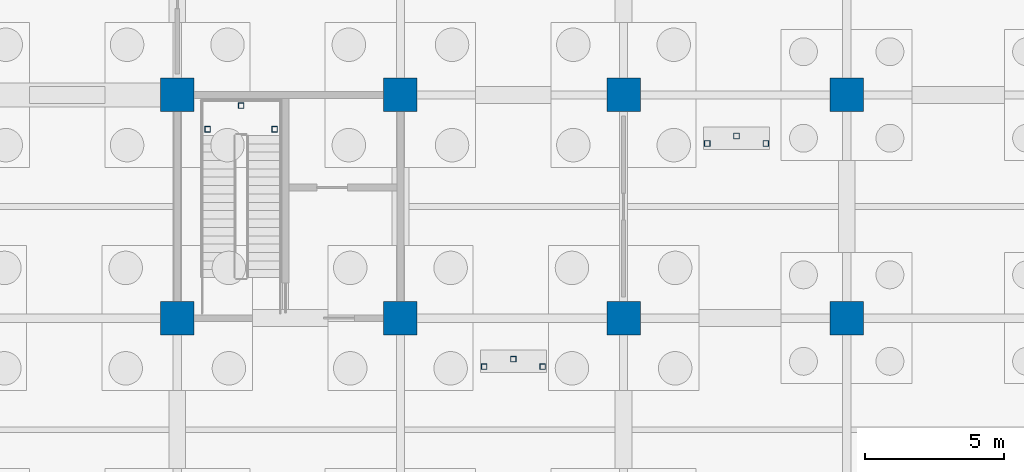
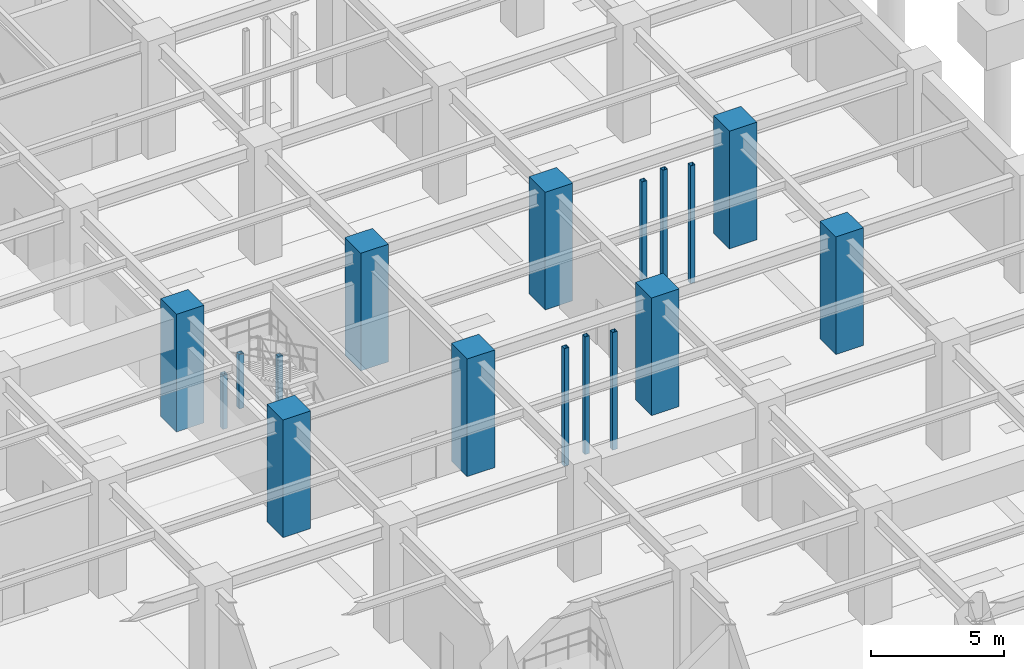
# One storey, part 32 of 97: 17 columns.
"""IFC4 building model written with IfcOpenShell, lengths in metres."""

from ifc_helpers import new_model, si_unit, direction, frame, origin, origin_2d, place, context, subcontext, project, spatial, rectangle, hollow_rectangle, extrude, material, material_profile, profile_set, type_object, element, save


model = new_model("IFC4")

# Units and contexts
model_context = context("Model", 3, precision=1e-05, world=origin(), true_north=direction((0.0, 1.0)))
body_context = subcontext(model_context, "Body", "Model", "MODEL_VIEW")
ifc_project = project(units=[si_unit("LENGTHUNIT", "METRE"), si_unit("AREAUNIT", "SQUARE_METRE"), si_unit("VOLUMEUNIT", "CUBIC_METRE"), si_unit("PLANEANGLEUNIT", "RADIAN"), si_unit("MASSUNIT", "GRAM", prefix="KILO")], contexts=[model_context])

# Site, building, storey
site_placement = place(None, origin())
site = spatial("IfcSite", under=ifc_project, at=site_placement, CompositionType="ELEMENT")
building_placement = place(site_placement, origin())
building = spatial("IfcBuilding", under=site, at=building_placement, Name="Haebicheon Civic Stadium", CompositionType="ELEMENT")
storey_placement = place(building_placement, frame((0.0, 0.0, -5.39990234375)))
storey = spatial("IfcBuildingStorey", under=building, at=storey_placement, Name="B1", CompositionType="ELEMENT", Elevation=-5.39990234375)

# Columns
ifc_material_1 = material(Name="Concrete C40/50", Category="concrete")
ifc_material_profile_1 = material_profile(ifc_material_1, rectangle(XDim=1.199951171875, YDim=1.199951171875, at=origin_2d()), Name="RC-COL-1200x1200")
ifc_profile_set_1 = profile_set([ifc_material_profile_1], Name="Concrete C40/50")
column_type_1 = type_object("IfcColumnType", Name="COL-RC-1200", PredefinedType="COLUMN", material=ifc_profile_set_1)
for number, where, z_axis, x_axis, name in (
    (1, (32.0, 80.0, 0.0), (0.0, 0.0, 1.0), (1.0, 0.0, 0.0), "B1 column 5/L"),
    (2, (32.0, 88.0, 0.0), (0.0, 0.0, 1.0), (1.0, 0.0, 0.0), "B1 column 5/M"),
    (3, (40.0, 80.0, 0.0), (0.0, 0.0, 1.0), (1.0, 0.0, 0.0), "B1 column 6/L"),
    (4, (40.0, 88.0, 0.0), (0.0, 0.0, 1.0), (1.0, 0.0, 0.0), "B1 column 6/M"),
    (5, (48.0, 80.0, 0.0), (0.0, 0.0, 1.0), (1.0, 0.0, 0.0), "B1 column 7/L"),
    (6, (48.0, 88.0, 0.0), (0.0, 0.0, 1.0), (1.0, 0.0, 0.0), "B1 column 7/M"),
    (7, (56.0, 80.0, 0.0), (0.0, 0.0, 1.0), (1.0, 0.0, 0.0), "B1 column 8/L"),
    (8, (56.0, 88.0, 0.0), (0.0, 0.0, 1.0), (1.0, 0.0, 0.0), "B1 column 8/M"),
):
    element("IfcColumn", number, at=place(storey_placement, frame(where, z_axis=z_axis, x_axis=x_axis)), inside=storey, type_object=column_type_1, material=ifc_profile_set_1, Name=name, PredefinedType="COLUMN", context=body_context, shape_type="SweptSolid", body=[
        extrude(rectangle(XDim=1.199951171875, YDim=1.199951171875, at=origin_2d()), origin(), (0.0, 0.0, 1.0), 5.39990234375),
    ])
ifc_material_2 = material(Name="Steel SM355 (S355)", Category="steel")
ifc_material_profile_2 = material_profile(ifc_material_2, hollow_rectangle(XDim=0.199951171875, YDim=0.199951171875, WallThickness=0.009033203125, at=origin_2d()), Name="RHS-200x200x9.0")
ifc_profile_set_2 = profile_set([ifc_material_profile_2], Name="Steel SM355 (S355)")
column_type_2 = type_object("IfcColumnType", Name="COL-ST-RHS200", PredefinedType="COLUMN", material=ifc_profile_set_2)
for number, where, z_axis, x_axis, name in (
    (9, (33.090087890625, 86.77001953125, 0.0), (0.0, 0.0, 1.0), (1.0, 0.0, 0.0), "KC-03 B1 stair half-landing support post A"),
    (10, (35.489990234375, 86.77001953125, 0.0), (0.0, 0.0, 1.0), (1.0, 0.0, 0.0), "KC-03 B1 stair half-landing support post B"),
    (11, (34.2900390625, 87.6201171875, 0.0), (0.0, 0.0, 1.0), (1.0, 0.0, 0.0), "KC-03 B1 stair half-landing support post C"),
):
    element("IfcColumn", number, at=place(storey_placement, frame(where, z_axis=z_axis, x_axis=x_axis)), inside=storey, type_object=column_type_2, material=ifc_profile_set_2, Name=name, PredefinedType="COLUMN", context=body_context, shape_type="SweptSolid", body=[
        extrude(hollow_rectangle(XDim=0.199951171875, YDim=0.199951171875, WallThickness=0.009033203125, at=origin_2d()), origin(), (0.0, 0.0, 1.0), 2.5),
    ])
for number, where, z_axis, x_axis, name in (
    (12, (51.0, 86.260009765625, 0.0), (0.0, 0.0, 1.0), (1.0, 0.0, 0.0), "VM-02 B1 vomitory landing support post A"),
    (13, (53.10009765625, 86.260009765625, 0.0), (0.0, 0.0, 1.0), (1.0, 0.0, 0.0), "VM-02 B1 vomitory landing support post B"),
    (14, (52.050048828125, 86.530029296875, 0.0), (0.0, 0.0, 1.0), (1.0, 0.0, 0.0), "VM-02 B1 vomitory landing support post C"),
    (15, (43.0, 78.260009765625, 0.0), (0.0, 0.0, 1.0), (1.0, 0.0, 0.0), "VM-04 B1 vomitory landing support post A"),
    (16, (45.10009765625, 78.260009765625, 0.0), (0.0, 0.0, 1.0), (1.0, 0.0, 0.0), "VM-04 B1 vomitory landing support post B"),
    (17, (44.050048828125, 78.530029296875, 0.0), (0.0, 0.0, 1.0), (1.0, 0.0, 0.0), "VM-04 B1 vomitory landing support post C"),
):
    element("IfcColumn", number, at=place(storey_placement, frame(where, z_axis=z_axis, x_axis=x_axis)), inside=storey, type_object=column_type_2, material=ifc_profile_set_2, Name=name, PredefinedType="COLUMN", context=body_context, shape_type="SweptSolid", body=[
        extrude(hollow_rectangle(XDim=0.199951171875, YDim=0.199951171875, WallThickness=0.009033203125, at=origin_2d()), origin(), (0.0, 0.0, 1.0), 5.39990234375),
    ])

save(model, "model.ifc")
